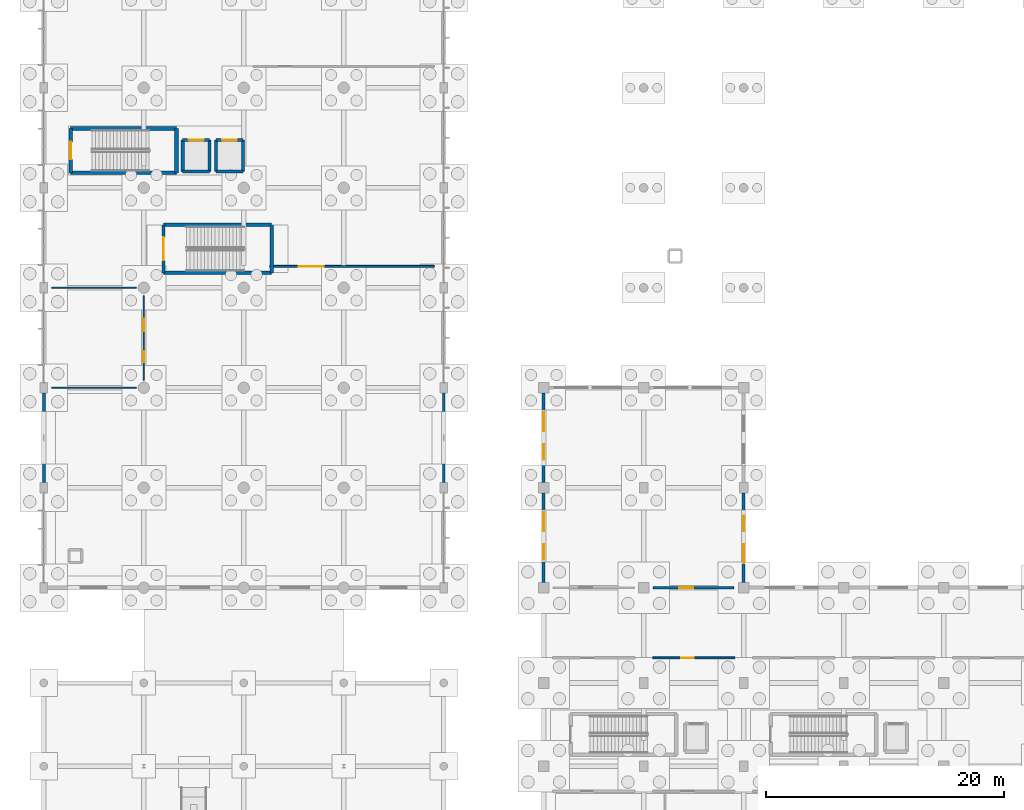
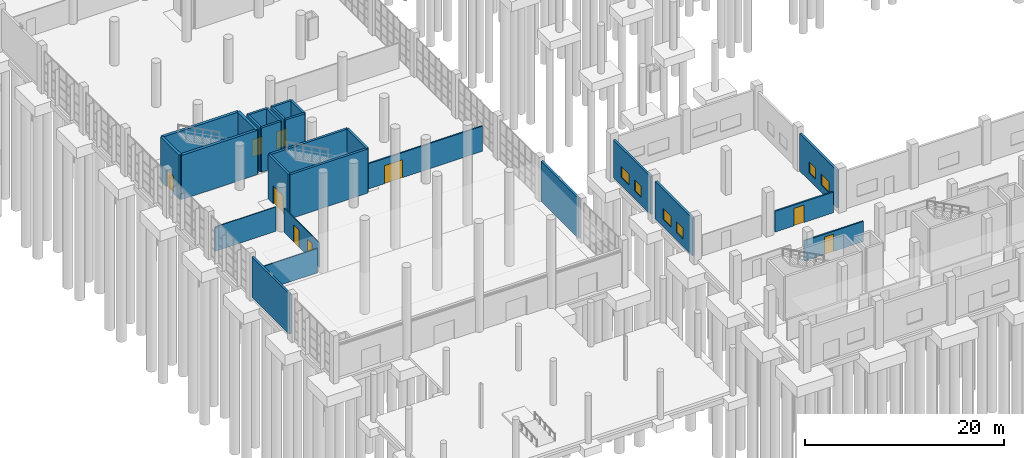
# One storey, part 51 of 83: 27 walls, 9 doors, 6 windows, 15 openings.
"""IFC4 building model written with IfcOpenShell, lengths in metres."""

import ifcopenshell
import ifcopenshell.guid

model = None  # the IFC model being written
_history = None  # IfcOwnerHistory: only IFC2X3 demands one
_inside = {}  # id of a spatial element -> (the spatial element, [elements in it])
_under = {}  # id of a project, library or spatial element -> (it, [spatial elements below it])
_declared = {}  # id of a project -> (the project, [libraries it declares])
_typed = {}  # id of a type object -> (the type object, [elements of that type])
_made_of = {}  # id of a material, layer set ... -> (it, [elements and type objects made of it])


def new_model(schema):
    """Start an empty IFC model of exactly this schema.

    Asked for "IFC4X3", IfcOpenShell would pick the latest addendum, in which some entities
    have other attributes; the version numbers below select the first issue.
    IFC2X3 requires an IfcOwnerHistory on every rooted entity: one is made here for all.
    """
    global model, _history
    if schema == "IFC4X3":
        model = ifcopenshell.file(schema_version=(4, 3, 0, 0))
    else:
        model = ifcopenshell.file(schema=schema)
    _inside.clear()
    _under.clear()
    _declared.clear()
    _typed.clear()
    _made_of.clear()
    _history = None
    if model.schema == "IFC2X3":
        org = make("IfcOrganization", Name="unknown")
        user = make(
            "IfcPersonAndOrganization",
            ThePerson=make("IfcPerson", FamilyName="unknown"),
            TheOrganization=org,
        )
        app = make(
            "IfcApplication",
            ApplicationDeveloper=org,
            Version="unknown",
            ApplicationFullName="unknown",
            ApplicationIdentifier="unknown",
        )
        _history = make(
            "IfcOwnerHistory",
            OwningUser=user,
            OwningApplication=app,
            ChangeAction="ADDED",
            CreationDate=0,
        )
    return model


def make(cls, **values):
    """One entity of the class cls with the attributes given. An attribute that is None is left unset."""
    return model.create_entity(
        cls, **{name: value for name, value in values.items() if value is not None}
    )


def rooted(cls, **values):
    """An entity with a GlobalId (a new one), such as an element, a storey or a relation."""
    return make(cls, GlobalId=ifcopenshell.guid.new(), OwnerHistory=_history, **values)


def si_unit(unit_type, name, prefix=None):
    """IfcSIUnit, for example si_unit("LENGTHUNIT", "METRE", prefix="MILLI")."""
    return make("IfcSIUnit", UnitType=unit_type, Prefix=prefix, Name=name)


def assignment(units):
    """IfcUnitAssignment: the units of a project."""
    return None if units is None else make("IfcUnitAssignment", Units=units)


def point(xyz):
    """IfcCartesianPoint."""
    return None if xyz is None else make("IfcCartesianPoint", Coordinates=xyz)


def direction(xyz):
    """IfcDirection."""
    return None if xyz is None else make("IfcDirection", DirectionRatios=xyz)


def frame(location, z_axis=None, x_axis=None):
    """IfcAxis2Placement3D, a coordinate frame: its origin and axes. An axis left out is left unset."""
    return make(
        "IfcAxis2Placement3D",
        Location=point(location),
        Axis=direction(z_axis),
        RefDirection=direction(x_axis),
    )


def frame_2d(location, x_axis=None):
    """IfcAxis2Placement2D, a coordinate frame in the plane: its origin and x axis."""
    return make(
        "IfcAxis2Placement2D", Location=point(location), RefDirection=direction(x_axis)
    )


def origin():
    """The frame at (0, 0, 0) with its axes left unset."""
    return frame((0.0, 0.0, 0.0))


def place(relative_to, where):
    """IfcLocalPlacement: puts the frame where relative to a parent placement (None: the world)."""
    return make(
        "IfcLocalPlacement", PlacementRelTo=relative_to, RelativePlacement=where
    )


def context(
    kind, dimensions, precision=None, world=None, true_north=None, identifier=None
):
    """IfcGeometricRepresentationContext, for example the 3D "Model" context."""
    return make(
        "IfcGeometricRepresentationContext",
        ContextIdentifier=identifier,
        ContextType=kind,
        CoordinateSpaceDimension=dimensions,
        Precision=precision,
        WorldCoordinateSystem=world,
        TrueNorth=true_north,
    )


def subcontext(parent, identifier, kind, view, scale=None):
    """IfcGeometricRepresentationSubContext, for example "Body" below "Model"."""
    return make(
        "IfcGeometricRepresentationSubContext",
        ContextIdentifier=identifier,
        ContextType=kind,
        ParentContext=parent,
        TargetScale=scale,
        TargetView=view,
    )


def project(units=None, contexts=None):
    """IfcProject with its units and contexts."""
    return rooted(
        "IfcProject",
        Name="project",
        RepresentationContexts=contexts,
        UnitsInContext=assignment(units),
    )


def spatial(cls, under=None, at=None, **own):
    """A site, building, storey or space (cls), placed at a placement, below another one or the project."""
    s = rooted(cls, ObjectPlacement=at, **own)
    if under is not None:
        _under.setdefault(under.id(), (under, []))[1].append(s)
    return s


def profile(cls, at=None, kind="AREA", **sizes):
    """A parametric profile (cls). Its sizes go by their IFC names, for example OverallWidth=200.0."""
    return make(cls, ProfileType=kind, Position=at, **sizes)


def rectangle(**sizes):
    """IfcRectangleProfileDef."""
    return profile("IfcRectangleProfileDef", **sizes)


def extrude(swept, where, along, depth):
    """IfcExtrudedAreaSolid: the profile swept, set in the frame where, extruded along a direction by depth."""
    return make(
        "IfcExtrudedAreaSolid",
        SweptArea=swept,
        Position=where,
        ExtrudedDirection=direction(along),
        Depth=depth,
    )


def shape(context_of_items, identifier, shape_type, items):
    """IfcShapeRepresentation: the items that make up one representation, for example the "Body"."""
    return make(
        "IfcShapeRepresentation",
        ContextOfItems=context_of_items,
        RepresentationIdentifier=identifier,
        RepresentationType=shape_type,
        Items=items,
    )


def material(Name=None, Category=None):
    """IfcMaterial."""
    return make("IfcMaterial", Name=Name, Category=Category)


def layer(
    of_material, thickness, ventilated=None, Name=None, Category=None, Priority=None
):
    """IfcMaterialLayer: one layer of a wall or slab, of a material (None: an air gap)."""
    return make(
        "IfcMaterialLayer",
        Material=of_material,
        LayerThickness=thickness,
        IsVentilated=ventilated,
        Name=Name,
        Category=Category,
        Priority=Priority,
    )


def layer_set(layers, Name=None):
    """IfcMaterialLayerSet."""
    return make("IfcMaterialLayerSet", MaterialLayers=layers, LayerSetName=Name)


def made_of(thing, what):
    """Note that an element or type object is made of a material, layer set ...; save() writes the relation."""
    if what is not None:
        _made_of.setdefault(what.id(), (what, []))[1].append(thing)
    return thing


def type_object(cls, material=None, **own):
    """A type object (cls), such as IfcWallType, which elements share."""
    return made_of(rooted(cls, **own), material)


def element(
    cls,
    number,
    at=None,
    inside=None,
    cuts=None,
    type_object=None,
    material=None,
    context=None,
    identifier="Body",
    shape_type=None,
    held_by="IfcProductDefinitionShape",
    body=None,
    shapes=None,
    **own,
):
    """One element of the class cls, such as IfcWall. Its Tag is "e" and its number.

    at: its placement. inside: the storey or other place that contains it. cuts: it is an
    opening in that element (IfcRelVoidsElement). A single representation is given by context,
    identifier, shape_type and body (its items); several are given by shapes. held_by: the class
    of the entity that holds the representations. save() writes the other relations.
    """
    e = rooted(cls, Tag="e%d" % number, ObjectPlacement=at, **own)
    if body is not None:
        shapes = [shape(context, identifier, shape_type, body)]
    if shapes is not None:
        e.Representation = make(held_by, Representations=shapes)
    if inside is not None:
        _inside.setdefault(inside.id(), (inside, []))[1].append(e)
    if cuts is not None:
        rooted(
            "IfcRelVoidsElement", RelatingBuildingElement=cuts, RelatedOpeningElement=e
        )
    if type_object is not None:
        _typed.setdefault(type_object.id(), (type_object, []))[1].append(e)
    return made_of(e, material)


def fill(opening, filler):
    """IfcRelFillsElement: the door or window that sits in an opening."""
    return rooted(
        "IfcRelFillsElement",
        RelatingOpeningElement=opening,
        RelatedBuildingElement=filler,
    )


def aggregate(whole, parts):
    """IfcRelAggregates: a whole, such as a stair, and the parts it consists of."""
    return rooted("IfcRelAggregates", RelatingObject=whole, RelatedObjects=parts)


def save(model, path):
    """Write the relations noted so far, then the file.

    IfcRelAggregates (storeys below a building ...), IfcRelContainedInSpatialStructure (elements
    in a storey), IfcRelDefinesByType, IfcRelAssociatesMaterial and IfcRelDeclares: one each for
    every whole, place, type object, material and project.
    """
    for whole, parts in _under.values():
        aggregate(whole, parts)
    for where, things in _inside.values():
        rooted(
            "IfcRelContainedInSpatialStructure",
            RelatedElements=things,
            RelatingStructure=where,
        )
    for kind, things in _typed.values():
        rooted("IfcRelDefinesByType", RelatedObjects=things, RelatingType=kind)
    for what, things in _made_of.values():
        rooted("IfcRelAssociatesMaterial", RelatedObjects=things, RelatingMaterial=what)
    for by, libraries in _declared.values():
        rooted("IfcRelDeclares", RelatingContext=by, RelatedDefinitions=libraries)
    model.write(path)


model = new_model("IFC4")

# Units and contexts
model_context = context("Model", 3, precision=1e-05, world=origin(), true_north=direction((0.0, 1.0)))
body_context = subcontext(model_context, "Body", "Model", "MODEL_VIEW")
ifc_project = project(units=[si_unit("LENGTHUNIT", "METRE"), si_unit("AREAUNIT", "SQUARE_METRE"), si_unit("VOLUMEUNIT", "CUBIC_METRE"), si_unit("PLANEANGLEUNIT", "RADIAN"), si_unit("MASSUNIT", "GRAM", prefix="KILO"), si_unit("THERMODYNAMICTEMPERATUREUNIT", "KELVIN"), si_unit("POWERUNIT", "WATT")], contexts=[model_context])

# Site, building, storey
site_placement = place(None, origin())
site = spatial("IfcSite", under=ifc_project, at=site_placement, CompositionType="ELEMENT")
building_placement = place(site_placement, origin())
building = spatial("IfcBuilding", under=site, at=building_placement, Name="Mavoryth Pier Ferry Terminal", CompositionType="ELEMENT")
storey_placement = place(building_placement, origin())
storey = spatial("IfcBuildingStorey", under=building, at=storey_placement, Name="L00", CompositionType="ELEMENT", Elevation=0.0)

# Walls
ifc_material_1 = material(Name="Concrete C35/45", Category="concrete")
ifc_layer_1 = layer(ifc_material_1, 0.260009765625, Name="Concrete C35/45", Category="concrete")
ifc_layer_set_1 = layer_set([ifc_layer_1], Name="Concrete C35/45 - CoreWall-LiftShaft-RC260")
wall_type_1 = type_object("IfcWallType", Name="CoreWall-LiftShaft-RC260", PredefinedType="SHEAR", material=ifc_layer_set_1)
wall_1_placement = place(storey_placement, frame((11.669921875, 56.969970703125, 0.0), z_axis=(0.0, 0.0, 1.0), x_axis=(1.0, 0.0, 0.0)))
element("IfcWall", 1, at=wall_1_placement, inside=storey, type_object=wall_type_1, Name="Interior Wall IW-L00-0009", PredefinedType="SHEAR", context=body_context, shape_type="SweptSolid", body=[
    extrude(rectangle(XDim=2.260009765625, YDim=0.260009765625, at=frame_2d((1.1298828125, 0.0))), origin(), (0.0, 0.0, 1.0), 5.43994140625),
])
for number, where, z_axis, x_axis, name in (
    (2, (13.929931640625, 56.969970703125, 0.0), (0.0, 0.0, 1.0), (0.0, 1.0, 0.0), "Interior Wall IW-L00-0010"),
    (3, (11.669921875, 59.6298828125, 0.0), (0.0, 0.0, 1.0), (0.0, -1.0, 0.0), "Interior Wall IW-L00-0011"),
):
    element("IfcWall", number, at=place(storey_placement, frame(where, z_axis=z_axis, x_axis=x_axis)), inside=storey, type_object=wall_type_1, Name=name, PredefinedType="SHEAR", context=body_context, shape_type="SweptSolid", body=[
        extrude(rectangle(XDim=2.659912109375, YDim=0.260009765625, at=frame_2d((1.330078125, 0.0))), origin(), (0.0, 0.0, 1.0), 5.43994140625),
    ])

# Wall, opening, door
wall_2_placement = place(storey_placement, frame((11.669921875, 59.6298828125, 0.0), z_axis=(0.0, 0.0, 1.0), x_axis=(1.0, 0.0, 0.0)))
wall_2 = element("IfcWall", 4, at=wall_2_placement, inside=storey, type_object=wall_type_1, Name="Interior Wall IW-L00-0012", PredefinedType="SHEAR", context=body_context, shape_type="SweptSolid", body=[
    extrude(rectangle(XDim=2.260009765625, YDim=0.260009765625, at=frame_2d((1.1298828125, 0.0))), origin(), (0.0, 0.0, 1.0), 5.43994140625),
])
opening_1_placement = place(wall_2_placement, frame((0.510009765625, 0.0, 0.0)))
opening_1 = element("IfcOpeningElement", 5, at=opening_1_placement, cuts=wall_2, Name="Opening LD01", PredefinedType="OPENING", context=body_context, shape_type="SweptSolid", body=[
    extrude(rectangle(XDim=1.239990234375, YDim=2.139892578125, at=frame_2d((0.6201171875, 1.06982421875))), frame((0.0, 0.139892578125, 0.0), z_axis=(0.0, -1.0, 0.0), x_axis=(1.0, 0.0, 0.0)), (0.0, 0.0, 1.0), 0.280029296875),
])
ifc_material_2 = material(Name="Brushed Stainless Steel Lift Landing Door", Category="steel")
door_type_1 = type_object("IfcDoorType", Name="Door-LiftLanding-1240x2140", OperationType="NOTDEFINED", PredefinedType="DOOR", material=ifc_material_2)
door_1_placement = place(opening_1_placement, origin())
door_1 = element("IfcDoor", 6, at=door_1_placement, inside=storey, type_object=door_type_1, Name="Lift LF01 Landing Door L00", OperationType="DOUBLE_DOOR_SLIDING", OverallHeight=2.139892578125, OverallWidth=1.239990234375, PredefinedType="DOOR", context=body_context, shape_type="SweptSolid", body=[
    extrude(rectangle(XDim=1.239990234375, YDim=2.139892578125, at=frame_2d((0.6201171875, 1.06982421875))), frame((0.0, 0.02490234375, 0.0), z_axis=(0.0, -1.0, 0.0), x_axis=(1.0, 0.0, 0.0)), (0.0, 0.0, 1.0), 0.050048828125),
])
fill(opening_1, door_1)

# Walls
wall_3_placement = place(storey_placement, frame((14.469970703125, 56.969970703125, 0.0), z_axis=(0.0, 0.0, 1.0), x_axis=(1.0, 0.0, 0.0)))
element("IfcWall", 7, at=wall_3_placement, inside=storey, type_object=wall_type_1, Name="Interior Wall IW-L00-0017", PredefinedType="SHEAR", context=body_context, shape_type="SweptSolid", body=[
    extrude(rectangle(XDim=2.260009765625, YDim=0.260009765625, at=frame_2d((1.1298828125, 0.0))), origin(), (0.0, 0.0, 1.0), 5.43994140625),
])
for number, where, z_axis, x_axis, name in (
    (8, (16.72998046875, 56.969970703125, 0.0), (0.0, 0.0, 1.0), (0.0, 1.0, 0.0), "Interior Wall IW-L00-0018"),
    (9, (14.469970703125, 59.6298828125, 0.0), (0.0, 0.0, 1.0), (0.0, -1.0, 0.0), "Interior Wall IW-L00-0019"),
):
    element("IfcWall", number, at=place(storey_placement, frame(where, z_axis=z_axis, x_axis=x_axis)), inside=storey, type_object=wall_type_1, Name=name, PredefinedType="SHEAR", context=body_context, shape_type="SweptSolid", body=[
        extrude(rectangle(XDim=2.659912109375, YDim=0.260009765625, at=frame_2d((1.330078125, 0.0))), origin(), (0.0, 0.0, 1.0), 5.43994140625),
    ])

# Wall, opening, door
wall_4_placement = place(storey_placement, frame((14.469970703125, 59.6298828125, 0.0), z_axis=(0.0, 0.0, 1.0), x_axis=(1.0, 0.0, 0.0)))
wall_4 = element("IfcWall", 10, at=wall_4_placement, inside=storey, type_object=wall_type_1, Name="Interior Wall IW-L00-0020", PredefinedType="SHEAR", context=body_context, shape_type="SweptSolid", body=[
    extrude(rectangle(XDim=2.260009765625, YDim=0.260009765625, at=frame_2d((1.1298828125, 0.0))), origin(), (0.0, 0.0, 1.0), 5.43994140625),
])
opening_2_placement = place(wall_4_placement, frame((0.510009765625, 0.0, 0.0)))
opening_2 = element("IfcOpeningElement", 11, at=opening_2_placement, cuts=wall_4, Name="Opening LD01", PredefinedType="OPENING", context=body_context, shape_type="SweptSolid", body=[
    extrude(rectangle(XDim=1.239990234375, YDim=2.139892578125, at=frame_2d((0.6201171875, 1.06982421875))), frame((0.0, 0.139892578125, 0.0), z_axis=(0.0, -1.0, 0.0), x_axis=(1.0, 0.0, 0.0)), (0.0, 0.0, 1.0), 0.280029296875),
])
door_2_placement = place(opening_2_placement, origin())
door_2 = element("IfcDoor", 12, at=door_2_placement, inside=storey, type_object=door_type_1, Name="Lift LF02 Landing Door L00", OperationType="DOUBLE_DOOR_SLIDING", OverallHeight=2.139892578125, OverallWidth=1.239990234375, PredefinedType="DOOR", context=body_context, shape_type="SweptSolid", body=[
    extrude(rectangle(XDim=1.239990234375, YDim=2.139892578125, at=frame_2d((0.6201171875, 1.06982421875))), frame((0.0, 0.02490234375, 0.0), z_axis=(0.0, -1.0, 0.0), x_axis=(1.0, 0.0, 0.0)), (0.0, 0.0, 1.0), 0.050048828125),
])
fill(opening_2, door_2)

# Walls
ifc_material_3 = material(Name="Concrete C40/50", Category="concrete")
ifc_layer_2 = layer(ifc_material_3, 0.280029296875, Name="Concrete C40/50", Category="concrete")
ifc_layer_set_2 = layer_set([ifc_layer_2], Name="Concrete C40/50 - CoreWall-Shear-RC280")
wall_type_2 = type_object("IfcWallType", Name="CoreWall-Shear-RC280", PredefinedType="SHEAR", material=ifc_layer_set_2)
for number, where, z_axis, x_axis, name in (
    (13, (10.06005859375, 48.4599609375, 0.0), (0.0, 0.0, 1.0), (1.0, 0.0, 0.0), "Interior Wall IW-L00-0285"),
    (14, (10.06005859375, 52.489990234375, 0.0), (0.0, 0.0, 1.0), (1.0, 0.0, 0.0), "Interior Wall IW-L00-0286"),
):
    element("IfcWall", number, at=place(storey_placement, frame(where, z_axis=z_axis, x_axis=x_axis)), inside=storey, type_object=wall_type_2, Name=name, PredefinedType="SHEAR", context=body_context, shape_type="SweptSolid", body=[
        extrude(rectangle(XDim=9.079833984375, YDim=0.280029296875, at=frame_2d((4.5400390625, 0.0))), origin(), (0.0, 0.0, 1.0), 5.43994140625),
    ])

# Wall, opening, door
wall_5_placement = place(storey_placement, frame((10.06005859375, 52.489990234375, 0.0), z_axis=(0.0, 0.0, 1.0), x_axis=(0.0, -1.0, 0.0)))
wall_5 = element("IfcWall", 15, at=wall_5_placement, inside=storey, type_object=wall_type_2, Name="Interior Wall IW-L00-0287", PredefinedType="SHEAR", context=body_context, shape_type="SweptSolid", body=[
    extrude(rectangle(XDim=4.030029296875, YDim=0.280029296875, at=frame_2d((2.01513671875, 0.0))), origin(), (0.0, 0.0, 1.0), 5.43994140625),
])
opening_3_placement = place(wall_5_placement, frame((1.034912109375, 0.0, 0.0)))
opening_3 = element("IfcOpeningElement", 16, at=opening_3_placement, cuts=wall_5, Name="Opening ID07-072", PredefinedType="OPENING", context=body_context, shape_type="SweptSolid", body=[
    extrude(rectangle(XDim=1.9599609375, YDim=2.219970703125, at=frame_2d((0.97998046875, 1.10986328125))), frame((0.0, 0.14990234375, 0.0), z_axis=(0.0, -1.0, 0.0), x_axis=(1.0, 0.0, 0.0)), (0.0, 0.0, 1.0), 0.300048828125),
])
ifc_material_4 = material(Name="Fire-Resisting Anodised Aluminium Glazed Door", Category="aluminium")
door_type_2 = type_object("IfcDoorType", Name="Door-ConcourseSlide-1960x2220", OperationType="NOTDEFINED", PredefinedType="DOOR", material=ifc_material_4)
door_3_placement = place(opening_3_placement, origin())
door_3 = element("IfcDoor", 17, at=door_3_placement, inside=storey, type_object=door_type_2, Name="Feature Stair FS1 Concourse Door L00", OperationType="DOUBLE_DOOR_SLIDING", OverallHeight=2.219970703125, OverallWidth=1.9599609375, PredefinedType="DOOR", context=body_context, shape_type="SweptSolid", body=[
    extrude(rectangle(XDim=1.9599609375, YDim=2.219970703125, at=frame_2d((0.97998046875, 1.10986328125))), frame((0.0, 0.02490234375, 0.0), z_axis=(0.0, -1.0, 0.0), x_axis=(1.0, 0.0, 0.0)), (0.0, 0.0, 1.0), 0.050048828125),
])
fill(opening_3, door_3)

# Walls
wall_6_placement = place(storey_placement, frame((19.139892578125, 48.4599609375, 0.0), z_axis=(0.0, 0.0, 1.0), x_axis=(0.0, 1.0, 0.0)))
element("IfcWall", 18, at=wall_6_placement, inside=storey, type_object=wall_type_2, Name="Interior Wall IW-L00-0288", PredefinedType="SHEAR", context=body_context, shape_type="SweptSolid", body=[
    extrude(rectangle(XDim=4.030029296875, YDim=0.280029296875, at=frame_2d((2.01513671875, 0.0))), origin(), (0.0, 0.0, 1.0), 5.43994140625),
])
ifc_layer_3 = layer(ifc_material_3, 0.320068359375, Name="Concrete C40/50", Category="concrete")
ifc_layer_set_3 = layer_set([ifc_layer_3], Name="Concrete C40/50 - CoreWall-Shear-RC320")
wall_type_3 = type_object("IfcWallType", Name="CoreWall-Shear-RC320", PredefinedType="SHEAR", material=ifc_layer_set_3)
for number, where, z_axis, x_axis, name in (
    (19, (2.260009765625, 56.860107421875, 0.0), (0.0, 0.0, 1.0), (1.0, 0.0, 0.0), "Interior Wall IW-L00-0001"),
    (20, (2.260009765625, 60.590087890625, 0.0), (0.0, 0.0, 1.0), (1.0, 0.0, 0.0), "Interior Wall IW-L00-0002"),
):
    element("IfcWall", number, at=place(storey_placement, frame(where, z_axis=z_axis, x_axis=x_axis)), inside=storey, type_object=wall_type_3, Name=name, PredefinedType="SHEAR", context=body_context, shape_type="SweptSolid", body=[
        extrude(rectangle(XDim=8.8798828125, YDim=0.320068359375, at=frame_2d((4.43994140625, 0.0))), origin(), (0.0, 0.0, 1.0), 5.43994140625),
    ])

# Wall, opening, door
wall_7_placement = place(storey_placement, frame((2.260009765625, 60.590087890625, 0.0), z_axis=(0.0, 0.0, 1.0), x_axis=(0.0, -1.0, 0.0)))
wall_7 = element("IfcWall", 21, at=wall_7_placement, inside=storey, type_object=wall_type_3, Name="Interior Wall IW-L00-0003", PredefinedType="SHEAR", context=body_context, shape_type="SweptSolid", body=[
    extrude(rectangle(XDim=3.72998046875, YDim=0.320068359375, at=frame_2d((1.864990234375, 0.0))), origin(), (0.0, 0.0, 1.0), 5.43994140625),
])
opening_4_placement = place(wall_7_placement, frame((1.125, 0.0, 0.0)))
opening_4 = element("IfcOpeningElement", 22, at=opening_4_placement, cuts=wall_7, Name="Opening ID01-001", PredefinedType="OPENING", context=body_context, shape_type="SweptSolid", body=[
    extrude(rectangle(XDim=1.47998046875, YDim=2.14990234375, at=frame_2d((0.739990234375, 1.074951171875))), frame((0.0, 0.169921875, 0.0), z_axis=(0.0, -1.0, 0.0), x_axis=(1.0, 0.0, 0.0)), (0.0, 0.0, 1.0), 0.340087890625),
])
ifc_material_5 = material(Name="Painted Galvanised Steel Fire Door", Category="steel")
door_type_3 = type_object("IfcDoorType", Name="Door-StairFire-1480x2150", OperationType="NOTDEFINED", PredefinedType="DOOR", material=ifc_material_5)
door_4_placement = place(opening_4_placement, origin())
door_4 = element("IfcDoor", 23, at=door_4_placement, inside=storey, type_object=door_type_3, Name="Core C1A Stair Exit Door L00", OperationType="SINGLE_SWING_LEFT", OverallHeight=2.14990234375, OverallWidth=1.47998046875, PredefinedType="DOOR", context=body_context, shape_type="SweptSolid", body=[
    extrude(rectangle(XDim=1.47998046875, YDim=2.14990234375, at=frame_2d((0.739990234375, 1.074951171875))), frame((0.0, 0.02490234375, 0.0), z_axis=(0.0, -1.0, 0.0), x_axis=(1.0, 0.0, 0.0)), (0.0, 0.0, 1.0), 0.050048828125),
])
fill(opening_4, door_4)

# Walls
wall_8_placement = place(storey_placement, frame((11.139892578125, 56.860107421875, 0.0), z_axis=(0.0, 0.0, 1.0), x_axis=(0.0, 1.0, 0.0)))
element("IfcWall", 24, at=wall_8_placement, inside=storey, type_object=wall_type_3, Name="Interior Wall IW-L00-0004", PredefinedType="SHEAR", context=body_context, shape_type="SweptSolid", body=[
    extrude(rectangle(XDim=3.72998046875, YDim=0.320068359375, at=frame_2d((1.864990234375, 0.0))), origin(), (0.0, 0.0, 1.0), 5.43994140625),
])
ifc_material_6 = material(Name="Insulated Pentelic Limestone-Faced Masonry", Category="masonry")
ifc_layer_4 = layer(ifc_material_6, 0.25, Name="Insulated Pentelic Limestone-Faced Masonry", Category="masonry")
ifc_layer_set_4 = layer_set([ifc_layer_4], Name="Insulated Pentelic Limestone-Faced Masonry - ExtWall-Facade-Masonry250")
wall_type_4 = type_object("IfcWallType", Name="ExtWall-Facade-Masonry250", PredefinedType="SOLIDWALL", material=ifc_layer_set_4)
for number, where, z_axis, x_axis, name in (
    (25, (0.0, 38.375, 0.0), (0.0, 0.0, 1.0), (0.0, -1.0, 0.0), "Exterior Wall EW-L00-009"),
    (26, (33.60009765625, 30.824951171875, 0.0), (0.0, 0.0, 1.0), (0.0, 1.0, 0.0), "Exterior Wall EW-L00-010"),
):
    element("IfcWall", number, at=place(storey_placement, frame(where, z_axis=z_axis, x_axis=x_axis)), inside=storey, type_object=wall_type_4, Name=name, PredefinedType="SOLIDWALL", context=body_context, shape_type="SweptSolid", body=[
        extrude(rectangle(XDim=7.550048828125, YDim=0.25, at=frame_2d((3.77490234375, 0.0))), origin(), (0.0, 0.0, 1.0), 4.93994140625),
    ])

# Wall, openings, windows
wall_9_placement = place(storey_placement, frame((42.0, 29.949951171875, 0.0), z_axis=(0.0, 0.0, 1.0), x_axis=(0.0, -1.0, 0.0)))
wall_9 = element("IfcWall", 27, at=wall_9_placement, inside=storey, type_object=wall_type_4, Name="Exterior Wall EW-L00-152", PredefinedType="SOLIDWALL", context=body_context, shape_type="SweptSolid", body=[
    extrude(rectangle(XDim=7.5, YDim=0.25, at=frame_2d((3.75, 0.0))), origin(), (0.0, 0.0, 1.0), 4.625),
])
opening_5_placement = place(wall_9_placement, frame((1.590087890625, 0.0, 0.949951171875)))
opening_5 = element("IfcOpeningElement", 28, at=opening_5_placement, cuts=wall_9, Name="Opening WN05", PredefinedType="OPENING", context=body_context, shape_type="SweptSolid", body=[
    extrude(rectangle(XDim=1.60009765625, YDim=1.35009765625, at=frame_2d((0.800048828125, 0.675048828125))), frame((0.0, 0.135009765625, 0.0), z_axis=(0.0, -1.0, 0.0), x_axis=(1.0, 0.0, 0.0)), (0.0, 0.0, 1.0), 0.27001953125),
])
opening_6_placement = place(wall_9_placement, frame((4.2900390625, 0.0, 0.949951171875)))
opening_6 = element("IfcOpeningElement", 29, at=opening_6_placement, cuts=wall_9, Name="Opening WN06", PredefinedType="OPENING", context=body_context, shape_type="SweptSolid", body=[
    extrude(rectangle(XDim=1.300048828125, YDim=1.35009765625, at=frame_2d((0.64990234375, 0.675048828125))), frame((0.0, 0.135009765625, 0.0), z_axis=(0.0, -1.0, 0.0), x_axis=(1.0, 0.0, 0.0)), (0.0, 0.0, 1.0), 0.27001953125),
])
ifc_material_7 = material(Name="Thermally Broken Aluminium and Low-E Double Glazing", Category="aluminium")
window_type_1 = type_object("IfcWindowType", Name="Win-Clinic-1300x1350", PartitioningType="SINGLE_PANEL", PredefinedType="WINDOW", material=ifc_material_7)
window_1_placement = place(opening_6_placement, origin())
window_1 = element("IfcWindow", 30, at=window_1_placement, inside=storey, type_object=window_type_1, Name="Exterior Window 66", OverallHeight=1.35009765625, OverallWidth=1.300048828125, PartitioningType="SINGLE_PANEL", PredefinedType="WINDOW", context=body_context, shape_type="SweptSolid", body=[
    extrude(rectangle(XDim=1.300048828125, YDim=1.35009765625, at=frame_2d((0.64990234375, 0.675048828125))), frame((0.0, 0.030029296875, 0.0), z_axis=(0.0, -1.0, 0.0), x_axis=(1.0, 0.0, 0.0)), (0.0, 0.0, 1.0), 0.06005859375),
])
fill(opening_6, window_1)
window_type_2 = type_object("IfcWindowType", Name="Win-Clinic-1600x1350", PartitioningType="DOUBLE_PANEL_VERTICAL", PredefinedType="WINDOW", material=ifc_material_7)
window_2_placement = place(opening_5_placement, origin())
window_2 = element("IfcWindow", 31, at=window_2_placement, inside=storey, type_object=window_type_2, Name="Exterior Window 65", OverallHeight=1.35009765625, OverallWidth=1.60009765625, PartitioningType="DOUBLE_PANEL_VERTICAL", PredefinedType="WINDOW", context=body_context, shape_type="SweptSolid", body=[
    extrude(rectangle(XDim=1.60009765625, YDim=1.35009765625, at=frame_2d((0.800048828125, 0.675048828125))), frame((0.0, 0.030029296875, 0.0), z_axis=(0.0, -1.0, 0.0), x_axis=(1.0, 0.0, 0.0)), (0.0, 0.0, 1.0), 0.06005859375),
])
fill(opening_5, window_2)

wall_10_placement = place(storey_placement, frame((58.800048828125, 22.449951171875, 0.0), z_axis=(0.0, 0.0, 1.0), x_axis=(0.0, 1.0, 0.0)))
wall_10 = element("IfcWall", 32, at=wall_10_placement, inside=storey, type_object=wall_type_4, Name="Exterior Wall EW-L00-153", PredefinedType="SOLIDWALL", context=body_context, shape_type="SweptSolid", body=[
    extrude(rectangle(XDim=7.5, YDim=0.25, at=frame_2d((3.75, 0.0))), origin(), (0.0, 0.0, 1.0), 4.625),
])
opening_7_placement = place(wall_10_placement, frame((1.590087890625, 0.0, 0.949951171875)))
opening_7 = element("IfcOpeningElement", 33, at=opening_7_placement, cuts=wall_10, Name="Opening WN05", PredefinedType="OPENING", context=body_context, shape_type="SweptSolid", body=[
    extrude(rectangle(XDim=1.60009765625, YDim=1.35009765625, at=frame_2d((0.800048828125, 0.675048828125))), frame((0.0, 0.135009765625, 0.0), z_axis=(0.0, -1.0, 0.0), x_axis=(1.0, 0.0, 0.0)), (0.0, 0.0, 1.0), 0.27001953125),
])
opening_8_placement = place(wall_10_placement, frame((4.2900390625, 0.0, 0.949951171875)))
opening_8 = element("IfcOpeningElement", 34, at=opening_8_placement, cuts=wall_10, Name="Opening WN06", PredefinedType="OPENING", context=body_context, shape_type="SweptSolid", body=[
    extrude(rectangle(XDim=1.300048828125, YDim=1.35009765625, at=frame_2d((0.64990234375, 0.675048828125))), frame((0.0, 0.135009765625, 0.0), z_axis=(0.0, -1.0, 0.0), x_axis=(1.0, 0.0, 0.0)), (0.0, 0.0, 1.0), 0.27001953125),
])
window_3_placement = place(opening_8_placement, origin())
window_3 = element("IfcWindow", 35, at=window_3_placement, inside=storey, type_object=window_type_1, Name="Exterior Window 68", OverallHeight=1.35009765625, OverallWidth=1.300048828125, PartitioningType="SINGLE_PANEL", PredefinedType="WINDOW", context=body_context, shape_type="SweptSolid", body=[
    extrude(rectangle(XDim=1.300048828125, YDim=1.35009765625, at=frame_2d((0.64990234375, 0.675048828125))), frame((0.0, 0.030029296875, 0.0), z_axis=(0.0, -1.0, 0.0), x_axis=(1.0, 0.0, 0.0)), (0.0, 0.0, 1.0), 0.06005859375),
])
fill(opening_8, window_3)
window_4_placement = place(opening_7_placement, origin())
window_4 = element("IfcWindow", 36, at=window_4_placement, inside=storey, type_object=window_type_2, Name="Exterior Window 67", OverallHeight=1.35009765625, OverallWidth=1.60009765625, PartitioningType="DOUBLE_PANEL_VERTICAL", PredefinedType="WINDOW", context=body_context, shape_type="SweptSolid", body=[
    extrude(rectangle(XDim=1.60009765625, YDim=1.35009765625, at=frame_2d((0.800048828125, 0.675048828125))), frame((0.0, 0.030029296875, 0.0), z_axis=(0.0, -1.0, 0.0), x_axis=(1.0, 0.0, 0.0)), (0.0, 0.0, 1.0), 0.06005859375),
])
fill(opening_7, window_4)

wall_11_placement = place(storey_placement, frame((42.0, 38.35009765625, 0.0), z_axis=(0.0, 0.0, 1.0), x_axis=(0.0, -1.0, 0.0)))
wall_11 = element("IfcWall", 37, at=wall_11_placement, inside=storey, type_object=wall_type_4, Name="Exterior Wall EW-L00-154", PredefinedType="SOLIDWALL", context=body_context, shape_type="SweptSolid", body=[
    extrude(rectangle(XDim=7.5, YDim=0.25, at=frame_2d((3.75, 0.0))), origin(), (0.0, 0.0, 1.0), 4.625),
])
opening_9_placement = place(wall_11_placement, frame((1.590087890625, 0.0, 0.949951171875)))
opening_9 = element("IfcOpeningElement", 38, at=opening_9_placement, cuts=wall_11, Name="Opening WN05", PredefinedType="OPENING", context=body_context, shape_type="SweptSolid", body=[
    extrude(rectangle(XDim=1.60009765625, YDim=1.35009765625, at=frame_2d((0.800048828125, 0.675048828125))), frame((0.0, 0.135009765625, 0.0), z_axis=(0.0, -1.0, 0.0), x_axis=(1.0, 0.0, 0.0)), (0.0, 0.0, 1.0), 0.27001953125),
])
opening_10_placement = place(wall_11_placement, frame((4.2900390625, 0.0, 0.949951171875)))
opening_10 = element("IfcOpeningElement", 39, at=opening_10_placement, cuts=wall_11, Name="Opening WN06", PredefinedType="OPENING", context=body_context, shape_type="SweptSolid", body=[
    extrude(rectangle(XDim=1.300048828125, YDim=1.35009765625, at=frame_2d((0.64990234375, 0.675048828125))), frame((0.0, 0.135009765625, 0.0), z_axis=(0.0, -1.0, 0.0), x_axis=(1.0, 0.0, 0.0)), (0.0, 0.0, 1.0), 0.27001953125),
])
window_5_placement = place(opening_10_placement, origin())
window_5 = element("IfcWindow", 40, at=window_5_placement, inside=storey, type_object=window_type_1, Name="Exterior Window 70", OverallHeight=1.35009765625, OverallWidth=1.300048828125, PartitioningType="SINGLE_PANEL", PredefinedType="WINDOW", context=body_context, shape_type="SweptSolid", body=[
    extrude(rectangle(XDim=1.300048828125, YDim=1.35009765625, at=frame_2d((0.64990234375, 0.675048828125))), frame((0.0, 0.030029296875, 0.0), z_axis=(0.0, -1.0, 0.0), x_axis=(1.0, 0.0, 0.0)), (0.0, 0.0, 1.0), 0.06005859375),
])
fill(opening_10, window_5)
window_6_placement = place(opening_9_placement, origin())
window_6 = element("IfcWindow", 41, at=window_6_placement, inside=storey, type_object=window_type_2, Name="Exterior Window 69", OverallHeight=1.35009765625, OverallWidth=1.60009765625, PartitioningType="DOUBLE_PANEL_VERTICAL", PredefinedType="WINDOW", context=body_context, shape_type="SweptSolid", body=[
    extrude(rectangle(XDim=1.60009765625, YDim=1.35009765625, at=frame_2d((0.800048828125, 0.675048828125))), frame((0.0, 0.030029296875, 0.0), z_axis=(0.0, -1.0, 0.0), x_axis=(1.0, 0.0, 0.0)), (0.0, 0.0, 1.0), 0.06005859375),
])
fill(opening_9, window_6)

# Wall, opening, door
ifc_material_8 = material(Name="Autoclaved Aerated Concrete Blockwork", Category="masonry")
ifc_layer_5 = layer(ifc_material_8, 0.179931640625, Name="Autoclaved Aerated Concrete Blockwork", Category="masonry")
ifc_layer_set_5 = layer_set([ifc_layer_5], Name="Autoclaved Aerated Concrete Blockwork - IntWall-PlantRated-180")
wall_type_5 = type_object("IfcWallType", Name="IntWall-PlantRated-180", PredefinedType="SOLIDWALL", material=ifc_layer_set_5)
wall_12_placement = place(storey_placement, frame((51.199951171875, 22.0, 0.0), z_axis=(0.0, 0.0, 1.0), x_axis=(1.0, 0.0, 0.0)))
wall_12 = element("IfcWall", 42, at=wall_12_placement, inside=storey, type_object=wall_type_5, Name="Interior Wall IW-L00-0506", PredefinedType="SOLIDWALL", context=body_context, shape_type="SweptSolid", body=[
    extrude(rectangle(XDim=6.800048828125, YDim=0.179931640625, at=frame_2d((3.39990234375, 0.0))), origin(), (0.0, 0.0, 1.0), 2.550048828125),
])
opening_11_placement = place(wall_12_placement, frame((2.199951171875, 0.0, 0.0)))
opening_11 = element("IfcOpeningElement", 43, at=opening_11_placement, cuts=wall_12, Name="Opening ID14-175", PredefinedType="OPENING", context=body_context, shape_type="SweptSolid", body=[
    extrude(rectangle(XDim=1.159912109375, YDim=2.139892578125, at=frame_2d((0.580078125, 1.06982421875))), frame((0.0, 0.099853515625, 0.0), z_axis=(0.0, -1.0, 0.0), x_axis=(1.0, 0.0, 0.0)), (0.0, 0.0, 1.0), 0.199951171875),
])
ifc_material_9 = material(Name="Painted Steel Utility Door", Category="steel")
door_type_4 = type_object("IfcDoorType", Name="Door-Store-1160x2140", OperationType="NOTDEFINED", PredefinedType="DOOR", material=ifc_material_9)
door_5_placement = place(opening_11_placement, origin())
door_5 = element("IfcDoor", 44, at=door_5_placement, inside=storey, type_object=door_type_4, Name="Harbour Maintenance Workshop Door", OperationType="SINGLE_SWING_RIGHT", OverallHeight=2.139892578125, OverallWidth=1.159912109375, PredefinedType="DOOR", context=body_context, shape_type="SweptSolid", body=[
    extrude(rectangle(XDim=1.159912109375, YDim=2.139892578125, at=frame_2d((0.580078125, 1.06982421875))), frame((0.0, 0.02490234375, 0.0), z_axis=(0.0, -1.0, 0.0), x_axis=(1.0, 0.0, 0.0)), (0.0, 0.0, 1.0), 0.050048828125),
])
fill(opening_11, door_5)

ifc_material_10 = material(Name="Double-Stud Acoustic Gypsum Partition")
ifc_layer_6 = layer(ifc_material_10, 0.159912109375, Name="Double-Stud Acoustic Gypsum Partition")
ifc_layer_set_6 = layer_set([ifc_layer_6], Name="Double-Stud Acoustic Gypsum Partition - Part-Acoustic-160")
wall_type_6 = type_object("IfcWallType", Name="Part-Acoustic-160", PredefinedType="PARTITIONING", material=ifc_layer_set_6)
wall_13_placement = place(storey_placement, frame((19.0, 49.0, 0.0), z_axis=(0.0, 0.0, 1.0), x_axis=(1.0, 0.0, 0.0)))
wall_13 = element("IfcWall", 45, at=wall_13_placement, inside=storey, type_object=wall_type_6, Name="Interior Wall IW-L00-0413", PredefinedType="PARTITIONING", context=body_context, shape_type="SweptSolid", body=[
    extrude(rectangle(XDim=13.800048828125, YDim=0.159912109375, at=frame_2d((6.89990234375, 0.0))), origin(), (0.0, 0.0, 1.0), 3.10009765625),
])
opening_12_placement = place(wall_13_placement, frame((2.39990234375, 0.0, 0.0)))
opening_12 = element("IfcOpeningElement", 46, at=opening_12_placement, cuts=wall_13, Name="Opening ID06-080", PredefinedType="OPENING", context=body_context, shape_type="SweptSolid", body=[
    extrude(rectangle(XDim=2.10009765625, YDim=2.219970703125, at=frame_2d((1.050048828125, 1.10986328125))), frame((0.0, 0.08984375, 0.0), z_axis=(0.0, -1.0, 0.0), x_axis=(1.0, 0.0, 0.0)), (0.0, 0.0, 1.0), 0.179931640625),
])
door_type_5 = type_object("IfcDoorType", Name="Door-ConcourseSlide-2100x2220", OperationType="NOTDEFINED", PredefinedType="DOOR", material=ifc_material_4)
door_6_placement = place(opening_12_placement, origin())
door_6 = element("IfcDoor", 47, at=door_6_placement, inside=storey, type_object=door_type_5, Name="Interior Door ID06-080", OperationType="DOUBLE_DOOR_SLIDING", OverallHeight=2.219970703125, OverallWidth=2.10009765625, PredefinedType="DOOR", context=body_context, shape_type="SweptSolid", body=[
    extrude(rectangle(XDim=2.10009765625, YDim=2.219970703125, at=frame_2d((1.050048828125, 1.10986328125))), frame((0.0, 0.02490234375, 0.0), z_axis=(0.0, -1.0, 0.0), x_axis=(1.0, 0.0, 0.0)), (0.0, 0.0, 1.0), 0.050048828125),
])
fill(opening_12, door_6)

wall_14_placement = place(storey_placement, frame((51.14990234375, 16.10009765625, 0.0), z_axis=(0.0, 0.0, 1.0), x_axis=(1.0, 0.0, 0.0)))
wall_14 = element("IfcWall", 48, at=wall_14_placement, inside=storey, type_object=wall_type_6, Name="Interior Wall IW-L00-0443", PredefinedType="PARTITIONING", context=body_context, shape_type="SweptSolid", body=[
    extrude(rectangle(XDim=6.900146484375, YDim=0.159912109375, at=frame_2d((3.4501953125, 0.0))), origin(), (0.0, 0.0, 1.0), 2.5),
])
opening_13_placement = place(wall_14_placement, frame((2.39990234375, 0.0, 0.0)))
opening_13 = element("IfcOpeningElement", 49, at=opening_13_placement, cuts=wall_14, Name="Opening ID08-112", PredefinedType="OPENING", context=body_context, shape_type="SweptSolid", body=[
    extrude(rectangle(XDim=1.0400390625, YDim=2.139892578125, at=frame_2d((0.52001953125, 1.06982421875))), frame((0.0, 0.08984375, 0.0), z_axis=(0.0, -1.0, 0.0), x_axis=(1.0, 0.0, 0.0)), (0.0, 0.0, 1.0), 0.179931640625),
])
ifc_material_11 = material(Name="Solid-Core Oak Veneer Timber Door", Category="wood")
door_type_6 = type_object("IfcDoorType", Name="Door-RoomSingle-1040x2140", OperationType="NOTDEFINED", PredefinedType="DOOR", material=ifc_material_11)
door_7_placement = place(opening_13_placement, origin())
door_7 = element("IfcDoor", 50, at=door_7_placement, inside=storey, type_object=door_type_6, Name="Interior Door ID08-112", OperationType="SINGLE_SWING_RIGHT", OverallHeight=2.139892578125, OverallWidth=1.0400390625, PredefinedType="DOOR", context=body_context, shape_type="SweptSolid", body=[
    extrude(rectangle(XDim=1.0400390625, YDim=2.139892578125, at=frame_2d((0.52001953125, 1.06982421875))), frame((0.0, 0.02490234375, 0.0), z_axis=(0.0, -1.0, 0.0), x_axis=(1.0, 0.0, 0.0)), (0.0, 0.0, 1.0), 0.050048828125),
])
fill(opening_13, door_7)

# Walls
ifc_material_12 = material(Name="Moisture-Resistant Cement-Board Partition")
ifc_layer_7 = layer(ifc_material_12, 0.10009765625, Name="Moisture-Resistant Cement-Board Partition")
ifc_layer_set_7 = layer_set([ifc_layer_7], Name="Moisture-Resistant Cement-Board Partition - Part-WetArea-100")
wall_type_7 = type_object("IfcWallType", Name="Part-WetArea-100", PredefinedType="PARTITIONING", material=ifc_layer_set_7)
for number, where, z_axis, x_axis, name in (
    (51, (0.64990234375, 38.800048828125, 0.0), (0.0, 0.0, 1.0), (1.0, 0.0, 0.0), "Interior Wall IW-L00-0415"),
    (52, (0.64990234375, 47.199951171875, 0.0), (0.0, 0.0, 1.0), (1.0, 0.0, 0.0), "Interior Wall IW-L00-0416"),
):
    element("IfcWall", number, at=place(storey_placement, frame(where, z_axis=z_axis, x_axis=x_axis)), inside=storey, type_object=wall_type_7, Name=name, PredefinedType="PARTITIONING", context=body_context, shape_type="SweptSolid", body=[
        extrude(rectangle(XDim=7.10009765625, YDim=0.10009765625, at=frame_2d((3.550048828125, 0.0))), origin(), (0.0, 0.0, 1.0), 3.0),
    ])

# Wall, openings, doors
wall_15_placement = place(storey_placement, frame((8.39990234375, 39.449951171875, 0.0), z_axis=(0.0, 0.0, 1.0), x_axis=(0.0, 1.0, 0.0)))
wall_15 = element("IfcWall", 53, at=wall_15_placement, inside=storey, type_object=wall_type_7, Name="Interior Wall IW-L00-0417", PredefinedType="PARTITIONING", context=body_context, shape_type="SweptSolid", body=[
    extrude(rectangle(XDim=7.10009765625, YDim=0.10009765625, at=frame_2d((3.550048828125, 0.0))), origin(), (0.0, 0.0, 1.0), 3.0),
])
opening_14_placement = place(wall_15_placement, frame((1.5, 0.0, 0.0)))
opening_14 = element("IfcOpeningElement", 54, at=opening_14_placement, cuts=wall_15, Name="Opening ID12-082", PredefinedType="OPENING", context=body_context, shape_type="SweptSolid", body=[
    extrude(rectangle(XDim=0.89990234375, YDim=2.06005859375, at=frame_2d((0.449951171875, 1.030029296875))), frame((0.0, 0.06005859375, 0.0), z_axis=(0.0, -1.0, 0.0), x_axis=(1.0, 0.0, 0.0)), (0.0, 0.0, 1.0), 0.1201171875),
])
opening_15_placement = place(wall_15_placement, frame((4.10009765625, 0.0, 0.0)))
opening_15 = element("IfcOpeningElement", 55, at=opening_15_placement, cuts=wall_15, Name="Opening ID11-083", PredefinedType="OPENING", context=body_context, shape_type="SweptSolid", body=[
    extrude(rectangle(XDim=1.06005859375, YDim=2.10009765625, at=frame_2d((0.530029296875, 1.050048828125))), frame((0.0, 0.06005859375, 0.0), z_axis=(0.0, -1.0, 0.0), x_axis=(1.0, 0.0, 0.0)), (0.0, 0.0, 1.0), 0.1201171875),
])
ifc_material_13 = material(Name="High-Pressure Laminate Accessible Door")
door_type_7 = type_object("IfcDoorType", Name="Door-AccessibleWC-1060x2100", OperationType="NOTDEFINED", PredefinedType="DOOR", material=ifc_material_13)
door_8_placement = place(opening_15_placement, origin())
door_8 = element("IfcDoor", 56, at=door_8_placement, inside=storey, type_object=door_type_7, Name="Departure Accessible WC Door", OperationType="SINGLE_SWING_RIGHT", OverallHeight=2.10009765625, OverallWidth=1.06005859375, PredefinedType="DOOR", context=body_context, shape_type="SweptSolid", body=[
    extrude(rectangle(XDim=1.06005859375, YDim=2.10009765625, at=frame_2d((0.530029296875, 1.050048828125))), frame((0.0, 0.02490234375, 0.0), z_axis=(0.0, -1.0, 0.0), x_axis=(1.0, 0.0, 0.0)), (0.0, 0.0, 1.0), 0.050048828125),
])
fill(opening_15, door_8)
ifc_material_14 = material(Name="High-Pressure Laminate Moisture Door")
door_type_8 = type_object("IfcDoorType", Name="Door-Toilet-900x2060", OperationType="NOTDEFINED", PredefinedType="DOOR", material=ifc_material_14)
door_9_placement = place(opening_14_placement, origin())
door_9 = element("IfcDoor", 57, at=door_9_placement, inside=storey, type_object=door_type_8, Name="Departure WC Door", OperationType="SINGLE_SWING_LEFT", OverallHeight=2.06005859375, OverallWidth=0.89990234375, PredefinedType="DOOR", context=body_context, shape_type="SweptSolid", body=[
    extrude(rectangle(XDim=0.89990234375, YDim=2.06005859375, at=frame_2d((0.449951171875, 1.030029296875))), frame((0.0, 0.02490234375, 0.0), z_axis=(0.0, -1.0, 0.0), x_axis=(1.0, 0.0, 0.0)), (0.0, 0.0, 1.0), 0.050048828125),
])
fill(opening_14, door_9)

save(model, "model.ifc")
